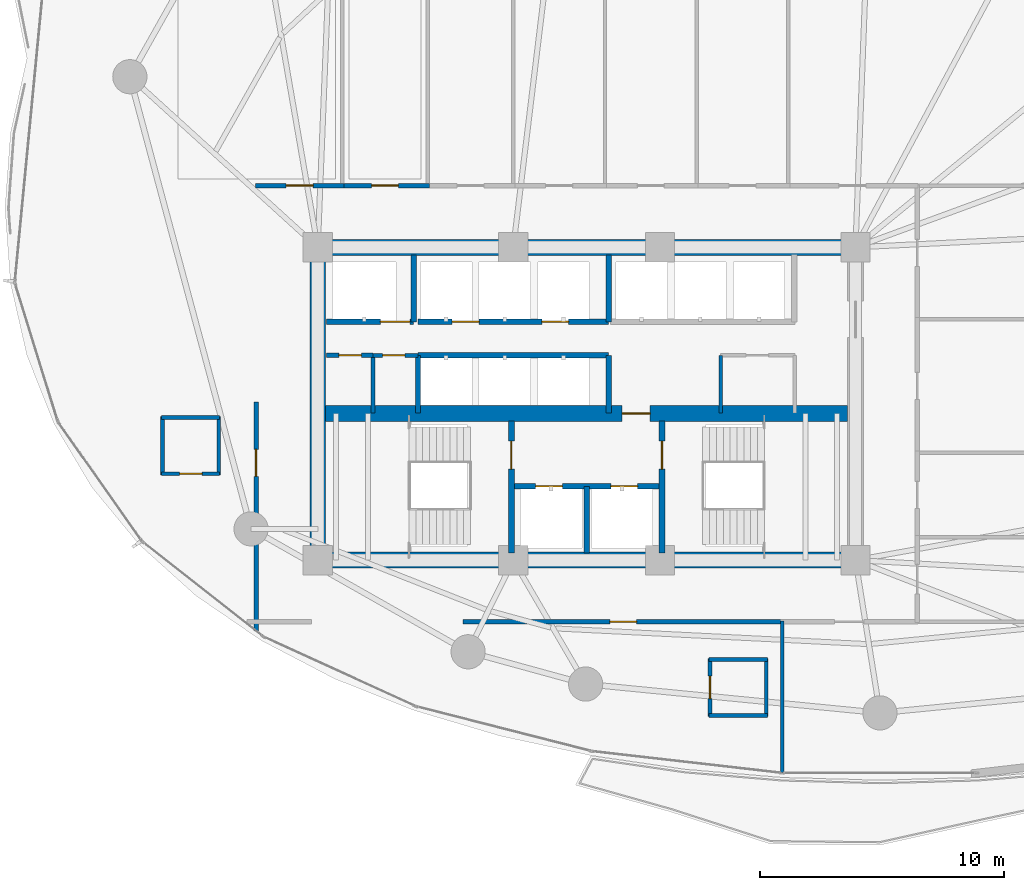
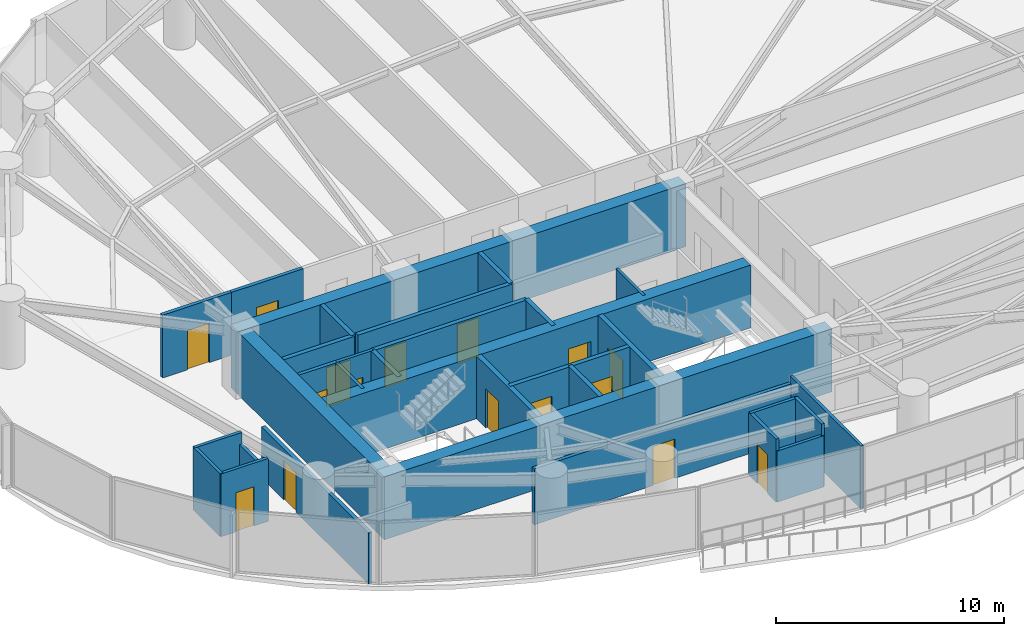
# One storey, part 25 of 31: 32 walls, 16 doors, 16 openings.
"""IFC4 building model written with IfcOpenShell, lengths in metres."""

from ifc_helpers import new_model, si_unit, direction, frame, frame_2d, origin, place, context, subcontext, project, spatial, rectangle, extrude, material, layer, layer_set, type_object, element, fill, save


model = new_model("IFC4")

# Units and contexts
model_context = context("Model", 3, precision=1e-05, world=origin(), true_north=direction((0.0, 1.0)))
body_context = subcontext(model_context, "Body", "Model", "MODEL_VIEW")
ifc_project = project(units=[si_unit("LENGTHUNIT", "METRE"), si_unit("AREAUNIT", "SQUARE_METRE"), si_unit("VOLUMEUNIT", "CUBIC_METRE"), si_unit("PLANEANGLEUNIT", "RADIAN"), si_unit("MASSUNIT", "GRAM", prefix="KILO")], contexts=[model_context])

# Site, building, storey
site_placement = place(None, origin())
site = spatial("IfcSite", under=ifc_project, at=site_placement, CompositionType="ELEMENT")
building_placement = place(site_placement, origin())
building = spatial("IfcBuilding", under=site, at=building_placement, Name="Kazevale Care Tower and Concert Hall", CompositionType="ELEMENT")
storey_placement = place(building_placement, frame((0.0, 0.0, 56.39990234375)))
storey = spatial("IfcBuildingStorey", under=building, at=storey_placement, Name="L14", CompositionType="ELEMENT", Elevation=56.39990234375)

# Walls
ifc_material_1 = material(Name="Acoustic Gypsum on Steel Stud", Category="steel")
ifc_layer_1 = layer(ifc_material_1, 0.139892578125)
ifc_layer_set_1 = layer_set([ifc_layer_1], Name="Acoustic Gypsum on Steel Stud")
wall_type_1 = type_object("IfcWallType", Name="Acoustic Care & Suite Partition 140", PredefinedType="PARTITIONING", material=ifc_layer_set_1)
wall_1_placement = place(storey_placement, frame((38.47998046875, 29.6201171875, 0.0), z_axis=(0.0, 0.0, 1.0), x_axis=(0.0, 1.0, 0.0)))
element("IfcWall", 1, at=wall_1_placement, inside=storey, type_object=wall_type_1, Name="wall:L14:kb_ew", PredefinedType="PARTITIONING", context=body_context, shape_type="SweptSolid", body=[
    extrude(rectangle(XDim=2.35986328125, YDim=0.139892578125, at=frame_2d((1.179931640625, 0.0))), origin(), (0.0, 0.0, 1.0), 3.360107421875),
])
wall_2_placement = place(storey_placement, frame((41.0, 21.10498046875, 0.0), z_axis=(0.0, 0.0, 1.0), x_axis=(0.0, -1.0, 0.0)))
element("IfcWall", 2, at=wall_2_placement, inside=storey, type_object=wall_type_1, Name="wall:L14:auto_027", PredefinedType="PARTITIONING", context=body_context, shape_type="SweptSolid", body=[
    extrude(rectangle(XDim=6.204833984375, YDim=0.139892578125, at=frame_2d((3.1025390625, 0.0))), origin(), (0.0, 0.0, 1.0), 3.360107421875),
])
ifc_material_2 = material(Name="Concrete C70", Category="concrete")
ifc_layer_2 = layer(ifc_material_2, 0.64990234375)
ifc_layer_set_2 = layer_set([ifc_layer_2], Name="Concrete C70")
wall_type_2 = type_object("IfcWallType", Name="Core Shear Wall 650 C70", PredefinedType="SHEAR", material=ifc_layer_set_2)
for number, where, z_axis, x_axis, name in (
    (3, (21.675048828125, 23.60009765625, 0.0), (0.0, 0.0, 1.0), (1.0, 0.0, 0.0), "wall:L14:core:S"),
    (4, (21.675048828125, 36.39990234375, 0.0), (0.0, 0.0, 1.0), (1.0, 0.0, 0.0), "wall:L14:core:N"),
):
    element("IfcWall", number, at=place(storey_placement, frame(where, z_axis=z_axis, x_axis=x_axis)), inside=storey, type_object=wall_type_2, Name=name, PredefinedType="SHEAR", context=body_context, shape_type="SweptSolid", body=[
        extrude(rectangle(XDim=22.64990234375, YDim=0.64990234375, at=frame_2d((11.324951171875, 0.0))), origin(), (0.0, 0.0, 1.0), 3.360107421875),
    ])
wall_3_placement = place(storey_placement, frame((22.0, 23.925048828125, 0.0), z_axis=(0.0, 0.0, 1.0), x_axis=(0.0, 1.0, 0.0)))
element("IfcWall", 5, at=wall_3_placement, inside=storey, type_object=wall_type_2, Name="wall:L14:core:W", PredefinedType="SHEAR", context=body_context, shape_type="SweptSolid", body=[
    extrude(rectangle(XDim=12.14990234375, YDim=0.64990234375, at=frame_2d((6.074951171875, 0.0))), origin(), (0.0, 0.0, 1.0), 3.360107421875),
])

# Wall, opening, door
wall_4_placement = place(storey_placement, frame((22.324951171875, 29.60009765625, 0.0), z_axis=(0.0, 0.0, 1.0), x_axis=(1.0, 0.0, 0.0)))
wall_4 = element("IfcWall", 6, at=wall_4_placement, inside=storey, type_object=wall_type_2, Name="wall:L14:core:M", PredefinedType="SHEAR", context=body_context, shape_type="SweptSolid", body=[
    extrude(rectangle(XDim=21.35009765625, YDim=0.64990234375, at=frame_2d((10.675048828125, 0.0))), origin(), (0.0, 0.0, 1.0), 3.360107421875),
])
opening_1_placement = place(wall_4_placement, frame((12.125, 0.0, 0.0)))
opening_1 = element("IfcOpeningElement", 7, at=opening_1_placement, cuts=wall_4, Name="Opening FD-90", PredefinedType="OPENING", context=body_context, shape_type="SweptSolid", body=[
    extrude(rectangle(XDim=1.14990234375, YDim=2.10009765625, at=frame_2d((0.574951171875, 1.050048828125))), frame((0.0, 0.3349609375, 0.0), z_axis=(0.0, -1.0, 0.0), x_axis=(1.0, 0.0, 0.0)), (0.0, 0.0, 1.0), 0.669921875),
])
ifc_material_3 = material(Name="Steel ASTM A572 Gr 50", Category="steel")
door_type_1 = type_object("IfcDoorType", Name="Pressurized Stair & Lobby Fire Door 1150x2100", OperationType="NOTDEFINED", PredefinedType="DOOR", material=ifc_material_3)
door_1_placement = place(opening_1_placement, origin())
door_1 = element("IfcDoor", 8, at=door_1_placement, inside=storey, type_object=door_type_1, Name="door:L14:ff_to_pax", OperationType="SINGLE_SWING_LEFT", OverallHeight=2.10009765625, OverallWidth=1.14990234375, PredefinedType="DOOR", context=body_context, shape_type="SweptSolid", body=[
    extrude(rectangle(XDim=1.14990234375, YDim=2.10009765625, at=frame_2d((0.574951171875, 1.050048828125))), frame((0.0, 0.02490234375, 0.0), z_axis=(0.0, -1.0, 0.0), x_axis=(1.0, 0.0, 0.0)), (0.0, 0.0, 1.0), 0.050048828125),
])
fill(opening_1, door_1)

# Wall, openings, doors
ifc_material_4 = material(Name="Concrete C40", Category="concrete")
ifc_layer_3 = layer(ifc_material_4, 0.219970703125)
ifc_layer_set_3 = layer_set([ifc_layer_3], Name="Concrete C40")
wall_type_3 = type_object("IfcWallType", Name="Elevator Hoistway Shaft Wall 220", PredefinedType="SOLIDWALL", material=ifc_layer_set_3)
wall_5_placement = place(storey_placement, frame((29.919921875, 26.6201171875, 0.0), z_axis=(0.0, 0.0, 1.0), x_axis=(1.0, 0.0, 0.0)))
wall_5 = element("IfcWall", 9, at=wall_5_placement, inside=storey, type_object=wall_type_3, Name="wall:L14:c_ffl_n", PredefinedType="SOLIDWALL", context=body_context, shape_type="SweptSolid", body=[
    extrude(rectangle(XDim=6.16015625, YDim=0.219970703125, at=frame_2d((3.080078125, 0.0))), origin(), (0.0, 0.0, 1.0), 3.360107421875),
])
opening_2_placement = place(wall_5_placement, frame((0.989990234375, 0.0, 0.0)))
opening_2 = element("IfcOpeningElement", 10, at=opening_2_placement, cuts=wall_5, Name="Opening LD-FF", PredefinedType="OPENING", context=body_context, shape_type="SweptSolid", body=[
    extrude(rectangle(XDim=1.10009765625, YDim=2.10009765625, at=frame_2d((0.550048828125, 1.050048828125))), frame((0.0, 0.119873046875, 0.0), z_axis=(0.0, -1.0, 0.0), x_axis=(1.0, 0.0, 0.0)), (0.0, 0.0, 1.0), 0.239990234375),
])
opening_3_placement = place(wall_5_placement, frame((4.070068359375, 0.0, 0.0)))
opening_3 = element("IfcOpeningElement", 11, at=opening_3_placement, cuts=wall_5, Name="Opening LD-FF", PredefinedType="OPENING", context=body_context, shape_type="SweptSolid", body=[
    extrude(rectangle(XDim=1.10009765625, YDim=2.10009765625, at=frame_2d((0.550048828125, 1.050048828125))), frame((0.0, 0.119873046875, 0.0), z_axis=(0.0, -1.0, 0.0), x_axis=(1.0, 0.0, 0.0)), (0.0, 0.0, 1.0), 0.239990234375),
])
ifc_material_5 = material(Name="Stainless Steel 316", Category="steel")
door_type_2 = type_object("IfcDoorType", Name="Emergency Lift Sliding Landing Door 1100x2100", OperationType="NOTDEFINED", PredefinedType="DOOR", material=ifc_material_5)
door_2_placement = place(opening_2_placement, origin())
door_2 = element("IfcDoor", 12, at=door_2_placement, inside=storey, type_object=door_type_2, Name="door:L14:ld_ffl1", OperationType="SLIDING_TO_LEFT", OverallHeight=2.10009765625, OverallWidth=1.10009765625, PredefinedType="DOOR", context=body_context, shape_type="SweptSolid", body=[
    extrude(rectangle(XDim=1.10009765625, YDim=2.10009765625, at=frame_2d((0.550048828125, 1.050048828125))), frame((0.0, 0.02490234375, 0.0), z_axis=(0.0, -1.0, 0.0), x_axis=(1.0, 0.0, 0.0)), (0.0, 0.0, 1.0), 0.050048828125),
])
fill(opening_2, door_2)
door_3_placement = place(opening_3_placement, origin())
door_3 = element("IfcDoor", 13, at=door_3_placement, inside=storey, type_object=door_type_2, Name="door:L14:ld_ffl2", OperationType="SLIDING_TO_RIGHT", OverallHeight=2.10009765625, OverallWidth=1.10009765625, PredefinedType="DOOR", context=body_context, shape_type="SweptSolid", body=[
    extrude(rectangle(XDim=1.10009765625, YDim=2.10009765625, at=frame_2d((0.550048828125, 1.050048828125))), frame((0.0, 0.02490234375, 0.0), z_axis=(0.0, -1.0, 0.0), x_axis=(1.0, 0.0, 0.0)), (0.0, 0.0, 1.0), 0.050048828125),
])
fill(opening_3, door_3)

# Walls
wall_6_placement = place(storey_placement, frame((33.0, 23.89990234375, 0.0), z_axis=(0.0, 0.0, 1.0), x_axis=(0.0, 1.0, 0.0)))
element("IfcWall", 14, at=wall_6_placement, inside=storey, type_object=wall_type_3, Name="wall:L14:c_ffl_m", PredefinedType="SOLIDWALL", context=body_context, shape_type="SweptSolid", body=[
    extrude(rectangle(XDim=2.72021484375, YDim=0.219970703125, at=frame_2d((1.360107421875, 0.0))), origin(), (0.0, 0.0, 1.0), 3.360107421875),
])
wall_7_placement = place(storey_placement, frame((25.919921875, 33.35009765625, 0.0), z_axis=(0.0, 0.0, 1.0), x_axis=(0.0, 1.0, 0.0)))
element("IfcWall", 15, at=wall_7_placement, inside=storey, type_object=wall_type_3, Name="wall:L14:c_svl_e", PredefinedType="SOLIDWALL", context=body_context, shape_type="SweptSolid", body=[
    extrude(rectangle(XDim=2.72998046875, YDim=0.219970703125, at=frame_2d((1.364990234375, 0.0))), origin(), (0.0, 0.0, 1.0), 3.360107421875),
])

# Wall, opening, door
wall_8_placement = place(storey_placement, frame((22.35009765625, 33.35009765625, 0.0), z_axis=(0.0, 0.0, 1.0), x_axis=(1.0, 0.0, 0.0)))
wall_8 = element("IfcWall", 16, at=wall_8_placement, inside=storey, type_object=wall_type_3, Name="wall:L14:c_svl_s", PredefinedType="SOLIDWALL", context=body_context, shape_type="SweptSolid", body=[
    extrude(rectangle(XDim=3.56982421875, YDim=0.219970703125, at=frame_2d((1.784912109375, 0.0))), origin(), (0.0, 0.0, 1.0), 3.360107421875),
])
opening_4_placement = place(wall_8_placement, frame((2.212890625, 0.0, 0.0)))
opening_4 = element("IfcOpeningElement", 17, at=opening_4_placement, cuts=wall_8, Name="Opening LD-SV", PredefinedType="OPENING", context=body_context, shape_type="SweptSolid", body=[
    extrude(rectangle(XDim=1.199951171875, YDim=2.10009765625, at=frame_2d((0.60009765625, 1.050048828125))), frame((0.0, 0.119873046875, 0.0), z_axis=(0.0, -1.0, 0.0), x_axis=(1.0, 0.0, 0.0)), (0.0, 0.0, 1.0), 0.239990234375),
])
door_type_3 = type_object("IfcDoorType", Name="Service Lift Sliding Landing Door 1200x2100", OperationType="NOTDEFINED", PredefinedType="DOOR", material=ifc_material_5)
door_4_placement = place(opening_4_placement, origin())
door_4 = element("IfcDoor", 18, at=door_4_placement, inside=storey, type_object=door_type_3, Name="door:L14:ld_svl1", OperationType="SLIDING_TO_LEFT", OverallHeight=2.10009765625, OverallWidth=1.199951171875, PredefinedType="DOOR", context=body_context, shape_type="SweptSolid", body=[
    extrude(rectangle(XDim=1.199951171875, YDim=2.10009765625, at=frame_2d((0.60009765625, 1.050048828125))), frame((0.0, 0.02490234375, 0.0), z_axis=(0.0, -1.0, 0.0), x_axis=(1.0, 0.0, 0.0)), (0.0, 0.0, 1.0), 0.050048828125),
])
fill(opening_4, door_4)

# Walls
wall_9_placement = place(storey_placement, frame((26.10009765625, 29.6201171875, 0.0), z_axis=(0.0, 0.0, 1.0), x_axis=(0.0, 1.0, 0.0)))
element("IfcWall", 19, at=wall_9_placement, inside=storey, type_object=wall_type_3, Name="wall:L14:c_ph_w", PredefinedType="SOLIDWALL", context=body_context, shape_type="SweptSolid", body=[
    extrude(rectangle(XDim=2.35986328125, YDim=0.219970703125, at=frame_2d((1.179931640625, 0.0))), origin(), (0.0, 0.0, 1.0), 3.360107421875),
])
wall_10_placement = place(storey_placement, frame((26.10009765625, 31.97998046875, 0.0), z_axis=(0.0, 0.0, 1.0), x_axis=(1.0, 0.0, 0.0)))
element("IfcWall", 20, at=wall_10_placement, inside=storey, type_object=wall_type_3, Name="wall:L14:c_ph_n", PredefinedType="SOLIDWALL", context=body_context, shape_type="SweptSolid", body=[
    extrude(rectangle(XDim=7.7998046875, YDim=0.219970703125, at=frame_2d((3.89990234375, 0.0))), origin(), (0.0, 0.0, 1.0), 3.360107421875),
])
wall_11_placement = place(storey_placement, frame((33.89990234375, 29.6201171875, 0.0), z_axis=(0.0, 0.0, 1.0), x_axis=(0.0, 1.0, 0.0)))
element("IfcWall", 21, at=wall_11_placement, inside=storey, type_object=wall_type_3, Name="wall:L14:c_ph_e", PredefinedType="SOLIDWALL", context=body_context, shape_type="SweptSolid", body=[
    extrude(rectangle(XDim=2.35986328125, YDim=0.219970703125, at=frame_2d((1.179931640625, 0.0))), origin(), (0.0, 0.0, 1.0), 3.360107421875),
])

# Wall, openings, doors
wall_12_placement = place(storey_placement, frame((26.10009765625, 33.35009765625, 0.0), z_axis=(0.0, 0.0, 1.0), x_axis=(1.0, 0.0, 0.0)))
wall_12 = element("IfcWall", 22, at=wall_12_placement, inside=storey, type_object=wall_type_3, Name="wall:L14:c_pl_s", PredefinedType="SOLIDWALL", context=body_context, shape_type="SweptSolid", body=[
    extrude(rectangle(XDim=7.7998046875, YDim=0.219970703125, at=frame_2d((3.89990234375, 0.0))), origin(), (0.0, 0.0, 1.0), 3.360107421875),
])
opening_5_placement = place(wall_12_placement, frame((1.39990234375, 0.0, 0.0)))
opening_5 = element("IfcOpeningElement", 23, at=opening_5_placement, cuts=wall_12, Name="Opening LD-PAX", PredefinedType="OPENING", context=body_context, shape_type="SweptSolid", body=[
    extrude(rectangle(XDim=1.10009765625, YDim=2.10009765625, at=frame_2d((0.550048828125, 1.050048828125))), frame((0.0, 0.119873046875, 0.0), z_axis=(0.0, -1.0, 0.0), x_axis=(1.0, 0.0, 0.0)), (0.0, 0.0, 1.0), 0.239990234375),
])
opening_6_placement = place(wall_12_placement, frame((5.06591796875, 0.0, 0.0)))
opening_6 = element("IfcOpeningElement", 24, at=opening_6_placement, cuts=wall_12, Name="Opening LD-PAX", PredefinedType="OPENING", context=body_context, shape_type="SweptSolid", body=[
    extrude(rectangle(XDim=1.10009765625, YDim=2.10009765625, at=frame_2d((0.550048828125, 1.050048828125))), frame((0.0, 0.119873046875, 0.0), z_axis=(0.0, -1.0, 0.0), x_axis=(1.0, 0.0, 0.0)), (0.0, 0.0, 1.0), 0.239990234375),
])
door_type_4 = type_object("IfcDoorType", Name="Passenger Lift Sliding Landing Door 1100x2100", OperationType="NOTDEFINED", PredefinedType="DOOR", material=ifc_material_5)
door_5_placement = place(opening_5_placement, origin())
door_5 = element("IfcDoor", 25, at=door_5_placement, inside=storey, type_object=door_type_4, Name="door:L14:ld_pl1", OperationType="SLIDING_TO_LEFT", OverallHeight=2.10009765625, OverallWidth=1.10009765625, PredefinedType="DOOR", context=body_context, shape_type="SweptSolid", body=[
    extrude(rectangle(XDim=1.10009765625, YDim=2.10009765625, at=frame_2d((0.550048828125, 1.050048828125))), frame((0.0, 0.02490234375, 0.0), z_axis=(0.0, -1.0, 0.0), x_axis=(1.0, 0.0, 0.0)), (0.0, 0.0, 1.0), 0.050048828125),
])
fill(opening_5, door_5)
door_6_placement = place(opening_6_placement, origin())
door_6 = element("IfcDoor", 26, at=door_6_placement, inside=storey, type_object=door_type_4, Name="door:L14:ld_pl2", OperationType="SLIDING_TO_RIGHT", OverallHeight=2.10009765625, OverallWidth=1.10009765625, PredefinedType="DOOR", context=body_context, shape_type="SweptSolid", body=[
    extrude(rectangle(XDim=1.10009765625, YDim=2.10009765625, at=frame_2d((0.550048828125, 1.050048828125))), frame((0.0, 0.02490234375, 0.0), z_axis=(0.0, -1.0, 0.0), x_axis=(1.0, 0.0, 0.0)), (0.0, 0.0, 1.0), 0.050048828125),
])
fill(opening_6, door_6)

# Wall
wall_13_placement = place(storey_placement, frame((33.89990234375, 33.35009765625, 0.0), z_axis=(0.0, 0.0, 1.0), x_axis=(0.0, 1.0, 0.0)))
element("IfcWall", 27, at=wall_13_placement, inside=storey, type_object=wall_type_3, Name="wall:L14:c_pl_e", PredefinedType="SOLIDWALL", context=body_context, shape_type="SweptSolid", body=[
    extrude(rectangle(XDim=2.72998046875, YDim=0.219970703125, at=frame_2d((1.364990234375, 0.0))), origin(), (0.0, 0.0, 1.0), 3.360107421875),
])

# Wall, opening, door
ifc_material_6 = material(Name="Concrete C40 and Acoustic Gypsum", Category="concrete")
ifc_layer_4 = layer(ifc_material_6, 0.179931640625)
ifc_layer_set_4 = layer_set([ifc_layer_4], Name="Concrete C40 and Acoustic Gypsum")
wall_type_4 = type_object("IfcWallType", Name="Fire-Rated Corridor & Party Wall 180", PredefinedType="PARTITIONING", material=ifc_layer_set_4)
wall_14_placement = place(storey_placement, frame((22.35009765625, 31.97998046875, 0.0), z_axis=(0.0, 0.0, 1.0), x_axis=(1.0, 0.0, 0.0)))
wall_14 = element("IfcWall", 28, at=wall_14_placement, inside=storey, type_object=wall_type_4, Name="wall:L14:kb_wn0", PredefinedType="PARTITIONING", context=body_context, shape_type="SweptSolid", body=[
    extrude(rectangle(XDim=1.909912109375, YDim=0.179931640625, at=frame_2d((0.955078125, 0.0))), origin(), (0.0, 0.0, 1.0), 3.360107421875),
])
opening_7_placement = place(wall_14_placement, frame((0.514892578125, 0.0, 0.0)))
opening_7 = element("IfcOpeningElement", 29, at=opening_7_placement, cuts=wall_14, Name="Opening ID-900", PredefinedType="OPENING", context=body_context, shape_type="SweptSolid", body=[
    extrude(rectangle(XDim=0.919921875, YDim=2.10009765625, at=frame_2d((0.4599609375, 1.050048828125))), frame((0.0, 0.099853515625, 0.0), z_axis=(0.0, -1.0, 0.0), x_axis=(1.0, 0.0, 0.0)), (0.0, 0.0, 1.0), 0.199951171875),
])
ifc_material_7 = material(Name="Oak Timber Fire Leaf", Category="wood")
door_type_5 = type_object("IfcDoorType", Name="Bathroom & Service Door 920x2100", OperationType="NOTDEFINED", PredefinedType="DOOR", material=ifc_material_7)
door_7_placement = place(opening_7_placement, origin())
door_7 = element("IfcDoor", 30, at=door_7_placement, inside=storey, type_object=door_type_5, Name="door:L14:d_kbw1", OperationType="SINGLE_SWING_LEFT", OverallHeight=2.10009765625, OverallWidth=0.919921875, PredefinedType="DOOR", context=body_context, shape_type="SweptSolid", body=[
    extrude(rectangle(XDim=0.919921875, YDim=2.10009765625, at=frame_2d((0.4599609375, 1.050048828125))), frame((0.0, 0.02490234375, 0.0), z_axis=(0.0, -1.0, 0.0), x_axis=(1.0, 0.0, 0.0)), (0.0, 0.0, 1.0), 0.050048828125),
])
fill(opening_7, door_7)

wall_15_placement = place(storey_placement, frame((19.445068359375, 38.925048828125, 0.0), z_axis=(0.0, 0.0, 1.0), x_axis=(1.0, 0.0, 0.0)))
wall_15 = element("IfcWall", 31, at=wall_15_placement, inside=storey, type_object=wall_type_4, Name="wall:L14:auto_001", PredefinedType="PARTITIONING", context=body_context, shape_type="SweptSolid", body=[
    extrude(rectangle(XDim=3.619873046875, YDim=0.179931640625, at=frame_2d((1.81005859375, 0.0))), origin(), (0.0, 0.0, 1.0), 3.360107421875),
])
opening_8_placement = place(wall_15_placement, frame((1.260009765625, 0.0, 0.0)))
opening_8 = element("IfcOpeningElement", 32, at=opening_8_placement, cuts=wall_15, Name="Opening ID-1100", PredefinedType="OPENING", context=body_context, shape_type="SweptSolid", body=[
    extrude(rectangle(XDim=1.10009765625, YDim=2.10009765625, at=frame_2d((0.550048828125, 1.050048828125))), frame((0.0, 0.099853515625, 0.0), z_axis=(0.0, -1.0, 0.0), x_axis=(1.0, 0.0, 0.0)), (0.0, 0.0, 1.0), 0.199951171875),
])
door_type_6 = type_object("IfcDoorType", Name="Care Bedroom Accessible Door 1100x2100", OperationType="NOTDEFINED", PredefinedType="DOOR", material=ifc_material_7)
door_8_placement = place(opening_8_placement, origin())
door_8 = element("IfcDoor", 33, at=door_8_placement, inside=storey, type_object=door_type_6, Name="door:L14:ad_001", OperationType="SINGLE_SWING_LEFT", OverallHeight=2.10009765625, OverallWidth=1.10009765625, PredefinedType="DOOR", context=body_context, shape_type="SweptSolid", body=[
    extrude(rectangle(XDim=1.10009765625, YDim=2.10009765625, at=frame_2d((0.550048828125, 1.050048828125))), frame((0.0, 0.02490234375, 0.0), z_axis=(0.0, -1.0, 0.0), x_axis=(1.0, 0.0, 0.0)), (0.0, 0.0, 1.0), 0.050048828125),
])
fill(opening_8, door_8)

wall_16_placement = place(storey_placement, frame((22.93505859375, 38.925048828125, 0.0), z_axis=(0.0, 0.0, 1.0), x_axis=(1.0, 0.0, 0.0)))
wall_16 = element("IfcWall", 34, at=wall_16_placement, inside=storey, type_object=wall_type_4, Name="wall:L14:auto_002", PredefinedType="PARTITIONING", context=body_context, shape_type="SweptSolid", body=[
    extrude(rectangle(XDim=3.6298828125, YDim=0.179931640625, at=frame_2d((1.81494140625, 0.0))), origin(), (0.0, 0.0, 1.0), 3.360107421875),
])
opening_9_placement = place(wall_16_placement, frame((1.264892578125, 0.0, 0.0)))
opening_9 = element("IfcOpeningElement", 35, at=opening_9_placement, cuts=wall_16, Name="Opening ID-1100", PredefinedType="OPENING", context=body_context, shape_type="SweptSolid", body=[
    extrude(rectangle(XDim=1.10009765625, YDim=2.10009765625, at=frame_2d((0.550048828125, 1.050048828125))), frame((0.0, 0.099853515625, 0.0), z_axis=(0.0, -1.0, 0.0), x_axis=(1.0, 0.0, 0.0)), (0.0, 0.0, 1.0), 0.199951171875),
])
door_9_placement = place(opening_9_placement, origin())
door_9 = element("IfcDoor", 36, at=door_9_placement, inside=storey, type_object=door_type_6, Name="door:L14:ad_002", OperationType="SINGLE_SWING_LEFT", OverallHeight=2.10009765625, OverallWidth=1.10009765625, PredefinedType="DOOR", context=body_context, shape_type="SweptSolid", body=[
    extrude(rectangle(XDim=1.10009765625, YDim=2.10009765625, at=frame_2d((0.550048828125, 1.050048828125))), frame((0.0, 0.02490234375, 0.0), z_axis=(0.0, -1.0, 0.0), x_axis=(1.0, 0.0, 0.0)), (0.0, 0.0, 1.0), 0.050048828125),
])
fill(opening_9, door_9)

wall_17_placement = place(storey_placement, frame((41.06494140625, 21.074951171875, 0.0), z_axis=(0.0, 0.0, 1.0), x_axis=(-1.0, 0.0, 0.0)))
wall_17 = element("IfcWall", 37, at=wall_17_placement, inside=storey, type_object=wall_type_4, Name="wall:L14:auto_012", PredefinedType="PARTITIONING", context=body_context, shape_type="SweptSolid", body=[
    extrude(rectangle(XDim=13.1298828125, YDim=0.179931640625, at=frame_2d((6.56494140625, 0.0))), origin(), (0.0, 0.0, 1.0), 2.99609375),
])
opening_10_placement = place(wall_17_placement, frame((6.014892578125, 0.0, 0.0)))
opening_10 = element("IfcOpeningElement", 38, at=opening_10_placement, cuts=wall_17, Name="Opening ID-1100", PredefinedType="OPENING", context=body_context, shape_type="SweptSolid", body=[
    extrude(rectangle(XDim=1.10009765625, YDim=2.10009765625, at=frame_2d((0.550048828125, 1.050048828125))), frame((0.0, 0.099853515625, 0.0), z_axis=(0.0, -1.0, 0.0), x_axis=(1.0, 0.0, 0.0)), (0.0, 0.0, 1.0), 0.199951171875),
])
door_10_placement = place(opening_10_placement, origin())
door_10 = element("IfcDoor", 39, at=door_10_placement, inside=storey, type_object=door_type_6, Name="door:L14:ad_012", OperationType="SINGLE_SWING_LEFT", OverallHeight=2.10009765625, OverallWidth=1.10009765625, PredefinedType="DOOR", context=body_context, shape_type="SweptSolid", body=[
    extrude(rectangle(XDim=1.10009765625, YDim=2.10009765625, at=frame_2d((0.550048828125, 1.050048828125))), frame((0.0, 0.02490234375, 0.0), z_axis=(0.0, -1.0, 0.0), x_axis=(1.0, 0.0, 0.0)), (0.0, 0.0, 1.0), 0.050048828125),
])
fill(opening_10, door_10)

wall_18_placement = place(storey_placement, frame((19.47509765625, 20.695068359375, 0.0), z_axis=(0.0, 0.0, 1.0), x_axis=(0.0, 1.0, 0.0)))
wall_18 = element("IfcWall", 40, at=wall_18_placement, inside=storey, type_object=wall_type_4, Name="wall:L14:auto_014", PredefinedType="PARTITIONING", context=body_context, shape_type="SweptSolid", body=[
    extrude(rectangle(XDim=9.369873046875, YDim=0.179931640625, at=frame_2d((4.68505859375, 0.0))), origin(), (0.0, 0.0, 1.0), 2.738037109375),
])
opening_11_placement = place(wall_18_placement, frame((6.3349609375, 0.0, 0.0)))
opening_11 = element("IfcOpeningElement", 41, at=opening_11_placement, cuts=wall_18, Name="Opening ID-1100", PredefinedType="OPENING", context=body_context, shape_type="SweptSolid", body=[
    extrude(rectangle(XDim=1.10009765625, YDim=2.10009765625, at=frame_2d((0.550048828125, 1.050048828125))), frame((0.0, 0.099853515625, 0.0), z_axis=(0.0, -1.0, 0.0), x_axis=(1.0, 0.0, 0.0)), (0.0, 0.0, 1.0), 0.199951171875),
])
door_11_placement = place(opening_11_placement, origin())
door_11 = element("IfcDoor", 42, at=door_11_placement, inside=storey, type_object=door_type_6, Name="door:L14:ad_014", OperationType="SINGLE_SWING_LEFT", OverallHeight=2.10009765625, OverallWidth=1.10009765625, PredefinedType="DOOR", context=body_context, shape_type="SweptSolid", body=[
    extrude(rectangle(XDim=1.10009765625, YDim=2.10009765625, at=frame_2d((0.550048828125, 1.050048828125))), frame((0.0, 0.02490234375, 0.0), z_axis=(0.0, -1.0, 0.0), x_axis=(1.0, 0.0, 0.0)), (0.0, 0.0, 1.0), 0.050048828125),
])
fill(opening_11, door_11)

# Wall
ifc_layer_5 = layer(ifc_material_1, 0.159912109375)
ifc_layer_set_5 = layer_set([ifc_layer_5], Name="Acoustic Gypsum on Steel Stud")
wall_type_5 = type_object("IfcWallType", Name="Moisture-Resistant Bathroom Plumbing Wall 160", PredefinedType="PLUMBINGWALL", material=ifc_layer_set_5)
wall_19_placement = place(storey_placement, frame((24.260009765625, 29.6201171875, 0.0), z_axis=(0.0, 0.0, 1.0), x_axis=(0.0, 1.0, 0.0)))
element("IfcWall", 43, at=wall_19_placement, inside=storey, type_object=wall_type_5, Name="wall:L14:kb_we1", PredefinedType="PLUMBINGWALL", context=body_context, shape_type="SweptSolid", body=[
    extrude(rectangle(XDim=2.35986328125, YDim=0.159912109375, at=frame_2d((1.179931640625, 0.0))), origin(), (0.0, 0.0, 1.0), 3.360107421875),
])

# Wall, opening, door
wall_20_placement = place(storey_placement, frame((24.260009765625, 31.97998046875, 0.0), z_axis=(0.0, 0.0, 1.0), x_axis=(1.0, 0.0, 0.0)))
wall_20 = element("IfcWall", 44, at=wall_20_placement, inside=storey, type_object=wall_type_5, Name="wall:L14:kb_wn1", PredefinedType="PLUMBINGWALL", context=body_context, shape_type="SweptSolid", body=[
    extrude(rectangle(XDim=1.840087890625, YDim=0.159912109375, at=frame_2d((0.919921875, 0.0))), origin(), (0.0, 0.0, 1.0), 3.360107421875),
])
opening_12_placement = place(wall_20_placement, frame((0.387939453125, 0.0, 0.0)))
opening_12 = element("IfcOpeningElement", 45, at=opening_12_placement, cuts=wall_20, Name="Opening ID-900", PredefinedType="OPENING", context=body_context, shape_type="SweptSolid", body=[
    extrude(rectangle(XDim=0.919921875, YDim=2.10009765625, at=frame_2d((0.4599609375, 1.050048828125))), frame((0.0, 0.08984375, 0.0), z_axis=(0.0, -1.0, 0.0), x_axis=(1.0, 0.0, 0.0)), (0.0, 0.0, 1.0), 0.179931640625),
])
door_12_placement = place(opening_12_placement, origin())
door_12 = element("IfcDoor", 46, at=door_12_placement, inside=storey, type_object=door_type_5, Name="door:L14:d_kbw2", OperationType="SINGLE_SWING_RIGHT", OverallHeight=2.10009765625, OverallWidth=0.919921875, PredefinedType="DOOR", context=body_context, shape_type="SweptSolid", body=[
    extrude(rectangle(XDim=0.919921875, YDim=2.10009765625, at=frame_2d((0.4599609375, 1.050048828125))), frame((0.0, 0.02490234375, 0.0), z_axis=(0.0, -1.0, 0.0), x_axis=(1.0, 0.0, 0.0)), (0.0, 0.0, 1.0), 0.050048828125),
])
fill(opening_12, door_12)

# Walls
wall_21_placement = place(storey_placement, frame((38.010009765625, 17.239013671875, 0.0), z_axis=(0.0, 0.0, 1.0), x_axis=(1.0, 0.0, 0.0)))
element("IfcWall", 47, at=wall_21_placement, inside=storey, type_object=wall_type_5, Name="wall:L14:sb2_ens_ws", PredefinedType="PLUMBINGWALL", context=body_context, shape_type="SweptSolid", body=[
    extrude(rectangle(XDim=2.3798828125, YDim=0.159912109375, at=frame_2d((1.18994140625, 0.0))), origin(), (0.0, 0.0, 1.0), 2.738037109375),
])
wall_22_placement = place(storey_placement, frame((38.010009765625, 19.5390625, 0.0), z_axis=(0.0, 0.0, 1.0), x_axis=(1.0, 0.0, 0.0)))
element("IfcWall", 48, at=wall_22_placement, inside=storey, type_object=wall_type_5, Name="wall:L14:sb2_ens_wn", PredefinedType="PLUMBINGWALL", context=body_context, shape_type="SweptSolid", body=[
    extrude(rectangle(XDim=2.3798828125, YDim=0.159912109375, at=frame_2d((1.18994140625, 0.0))), origin(), (0.0, 0.0, 1.0), 3.360107421875),
])

# Wall, opening, door
wall_23_placement = place(storey_placement, frame((38.050048828125, 17.198974609375, 0.0), z_axis=(0.0, 0.0, 1.0), x_axis=(0.0, 1.0, 0.0)))
wall_23 = element("IfcWall", 49, at=wall_23_placement, inside=storey, type_object=wall_type_5, Name="wall:L14:sb2_ens_ww", PredefinedType="PLUMBINGWALL", context=body_context, shape_type="SweptSolid", body=[
    extrude(rectangle(XDim=2.380126953125, YDim=0.159912109375, at=frame_2d((1.18994140625, 0.0))), origin(), (0.0, 0.0, 1.0), 3.360107421875),
])
opening_13_placement = place(wall_23_placement, frame((0.739990234375, 0.0, 0.0)))
opening_13 = element("IfcOpeningElement", 50, at=opening_13_placement, cuts=wall_23, Name="Opening ID-900", PredefinedType="OPENING", context=body_context, shape_type="SweptSolid", body=[
    extrude(rectangle(XDim=0.919921875, YDim=2.10009765625, at=frame_2d((0.4599609375, 1.050048828125))), frame((0.0, 0.08984375, 0.0), z_axis=(0.0, -1.0, 0.0), x_axis=(1.0, 0.0, 0.0)), (0.0, 0.0, 1.0), 0.179931640625),
])
door_13_placement = place(opening_13_placement, origin())
door_13 = element("IfcDoor", 51, at=door_13_placement, inside=storey, type_object=door_type_5, Name="door:L14:sb2_ens_d", OperationType="SINGLE_SWING_RIGHT", OverallHeight=2.10009765625, OverallWidth=0.919921875, PredefinedType="DOOR", context=body_context, shape_type="SweptSolid", body=[
    extrude(rectangle(XDim=0.919921875, YDim=2.10009765625, at=frame_2d((0.4599609375, 1.050048828125))), frame((0.0, 0.02490234375, 0.0), z_axis=(0.0, -1.0, 0.0), x_axis=(1.0, 0.0, 0.0)), (0.0, 0.0, 1.0), 0.050048828125),
])
fill(opening_13, door_13)

# Wall
wall_24_placement = place(storey_placement, frame((40.35009765625, 17.198974609375, 0.0), z_axis=(0.0, 0.0, 1.0), x_axis=(0.0, 1.0, 0.0)))
element("IfcWall", 52, at=wall_24_placement, inside=storey, type_object=wall_type_5, Name="wall:L14:sb2_ens_we", PredefinedType="PLUMBINGWALL", context=body_context, shape_type="SweptSolid", body=[
    extrude(rectangle(XDim=2.380126953125, YDim=0.159912109375, at=frame_2d((1.18994140625, 0.0))), origin(), (0.0, 0.0, 1.0), 3.360107421875),
])

# Wall, opening, door
wall_25_placement = place(storey_placement, frame((15.60693359375, 27.134033203125, 0.0), z_axis=(0.0, 0.0, 1.0), x_axis=(1.0, 0.0, 0.0)))
wall_25 = element("IfcWall", 53, at=wall_25_placement, inside=storey, type_object=wall_type_5, Name="wall:L14:wb1_ens_ws", PredefinedType="PLUMBINGWALL", context=body_context, shape_type="SweptSolid", body=[
    extrude(rectangle(XDim=2.380126953125, YDim=0.159912109375, at=frame_2d((1.18994140625, 0.0))), origin(), (0.0, 0.0, 1.0), 3.360107421875),
])
opening_14_placement = place(wall_25_placement, frame((0.739990234375, 0.0, 0.0)))
opening_14 = element("IfcOpeningElement", 54, at=opening_14_placement, cuts=wall_25, Name="Opening ID-900", PredefinedType="OPENING", context=body_context, shape_type="SweptSolid", body=[
    extrude(rectangle(XDim=0.919921875, YDim=2.10009765625, at=frame_2d((0.4599609375, 1.050048828125))), frame((0.0, 0.08984375, 0.0), z_axis=(0.0, -1.0, 0.0), x_axis=(1.0, 0.0, 0.0)), (0.0, 0.0, 1.0), 0.179931640625),
])
door_14_placement = place(opening_14_placement, origin())
door_14 = element("IfcDoor", 55, at=door_14_placement, inside=storey, type_object=door_type_5, Name="door:L14:wb1_ens_d", OperationType="SINGLE_SWING_RIGHT", OverallHeight=2.10009765625, OverallWidth=0.919921875, PredefinedType="DOOR", context=body_context, shape_type="SweptSolid", body=[
    extrude(rectangle(XDim=0.919921875, YDim=2.10009765625, at=frame_2d((0.4599609375, 1.050048828125))), frame((0.0, 0.02490234375, 0.0), z_axis=(0.0, -1.0, 0.0), x_axis=(1.0, 0.0, 0.0)), (0.0, 0.0, 1.0), 0.050048828125),
])
fill(opening_14, door_14)

# Walls
for number, where, z_axis, x_axis, name in (
    (56, (15.60693359375, 29.43408203125, 0.0), (0.0, 0.0, 1.0), (1.0, 0.0, 0.0), "wall:L14:wb1_ens_wn"),
    (57, (15.64697265625, 27.093994140625, 0.0), (0.0, 0.0, 1.0), (0.0, 1.0, 0.0), "wall:L14:wb1_ens_ww"),
):
    element("IfcWall", number, at=place(storey_placement, frame(where, z_axis=z_axis, x_axis=x_axis)), inside=storey, type_object=wall_type_5, Name=name, PredefinedType="PLUMBINGWALL", context=body_context, shape_type="SweptSolid", body=[
        extrude(rectangle(XDim=2.380126953125, YDim=0.159912109375, at=frame_2d((1.18994140625, 0.0))), origin(), (0.0, 0.0, 1.0), 3.360107421875),
    ])
wall_26_placement = place(storey_placement, frame((17.947021484375, 27.093994140625, 0.0), z_axis=(0.0, 0.0, 1.0), x_axis=(0.0, 1.0, 0.0)))
element("IfcWall", 58, at=wall_26_placement, inside=storey, type_object=wall_type_5, Name="wall:L14:wb1_ens_we", PredefinedType="PLUMBINGWALL", context=body_context, shape_type="SweptSolid", body=[
    extrude(rectangle(XDim=2.380126953125, YDim=0.159912109375, at=frame_2d((1.18994140625, 0.0))), origin(), (0.0, 0.0, 1.0), 2.738037109375),
])

# Wall, opening, door
ifc_layer_6 = layer(ifc_material_4, 0.25)
ifc_layer_set_6 = layer_set([ifc_layer_6], Name="Concrete C40")
wall_type_6 = type_object("IfcWallType", Name="Pressurized Stair Shaft Wall 250", PredefinedType="SOLIDWALL", material=ifc_layer_set_6)
wall_27_placement = place(storey_placement, frame((29.919921875, 23.89990234375, 0.0), z_axis=(0.0, 0.0, 1.0), x_axis=(0.0, 1.0, 0.0)))
wall_27 = element("IfcWall", 59, at=wall_27_placement, inside=storey, type_object=wall_type_6, Name="wall:L14:c_st1_e", PredefinedType="SOLIDWALL", context=body_context, shape_type="SweptSolid", body=[
    extrude(rectangle(XDim=5.400146484375, YDim=0.25, at=frame_2d((2.7001953125, 0.0))), origin(), (0.0, 0.0, 1.0), 3.360107421875),
])
opening_15_placement = place(wall_27_placement, frame((3.4208984375, 0.0, 0.0)))
opening_15 = element("IfcOpeningElement", 60, at=opening_15_placement, cuts=wall_27, Name="Opening FD-90", PredefinedType="OPENING", context=body_context, shape_type="SweptSolid", body=[
    extrude(rectangle(XDim=1.14990234375, YDim=2.10009765625, at=frame_2d((0.574951171875, 1.050048828125))), frame((0.0, 0.135009765625, 0.0), z_axis=(0.0, -1.0, 0.0), x_axis=(1.0, 0.0, 0.0)), (0.0, 0.0, 1.0), 0.27001953125),
])
door_15_placement = place(opening_15_placement, origin())
door_15 = element("IfcDoor", 61, at=door_15_placement, inside=storey, type_object=door_type_1, Name="door:L14:st1", OperationType="SINGLE_SWING_RIGHT", OverallHeight=2.10009765625, OverallWidth=1.14990234375, PredefinedType="DOOR", context=body_context, shape_type="SweptSolid", body=[
    extrude(rectangle(XDim=1.14990234375, YDim=2.10009765625, at=frame_2d((0.574951171875, 1.050048828125))), frame((0.0, 0.02490234375, 0.0), z_axis=(0.0, -1.0, 0.0), x_axis=(1.0, 0.0, 0.0)), (0.0, 0.0, 1.0), 0.050048828125),
])
fill(opening_15, door_15)

wall_28_placement = place(storey_placement, frame((36.080078125, 23.89990234375, 0.0), z_axis=(0.0, 0.0, 1.0), x_axis=(0.0, 1.0, 0.0)))
wall_28 = element("IfcWall", 62, at=wall_28_placement, inside=storey, type_object=wall_type_6, Name="wall:L14:c_st2_w", PredefinedType="SOLIDWALL", context=body_context, shape_type="SweptSolid", body=[
    extrude(rectangle(XDim=5.400146484375, YDim=0.25, at=frame_2d((2.7001953125, 0.0))), origin(), (0.0, 0.0, 1.0), 3.360107421875),
])
opening_16_placement = place(wall_28_placement, frame((3.4208984375, 0.0, 0.0)))
opening_16 = element("IfcOpeningElement", 63, at=opening_16_placement, cuts=wall_28, Name="Opening FD-90", PredefinedType="OPENING", context=body_context, shape_type="SweptSolid", body=[
    extrude(rectangle(XDim=1.14990234375, YDim=2.10009765625, at=frame_2d((0.574951171875, 1.050048828125))), frame((0.0, 0.135009765625, 0.0), z_axis=(0.0, -1.0, 0.0), x_axis=(1.0, 0.0, 0.0)), (0.0, 0.0, 1.0), 0.27001953125),
])
door_16_placement = place(opening_16_placement, origin())
door_16 = element("IfcDoor", 64, at=door_16_placement, inside=storey, type_object=door_type_1, Name="door:L14:st2", OperationType="SINGLE_SWING_LEFT", OverallHeight=2.10009765625, OverallWidth=1.14990234375, PredefinedType="DOOR", context=body_context, shape_type="SweptSolid", body=[
    extrude(rectangle(XDim=1.14990234375, YDim=2.10009765625, at=frame_2d((0.574951171875, 1.050048828125))), frame((0.0, 0.02490234375, 0.0), z_axis=(0.0, -1.0, 0.0), x_axis=(1.0, 0.0, 0.0)), (0.0, 0.0, 1.0), 0.050048828125),
])
fill(opening_16, door_16)

save(model, "model.ifc")
